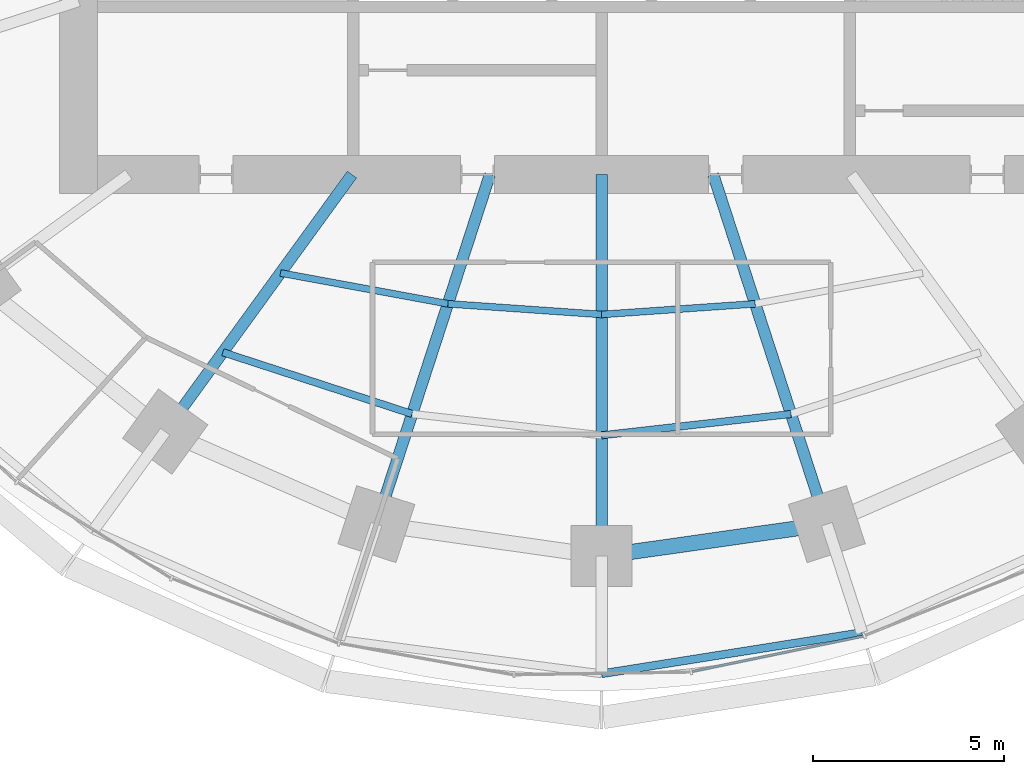
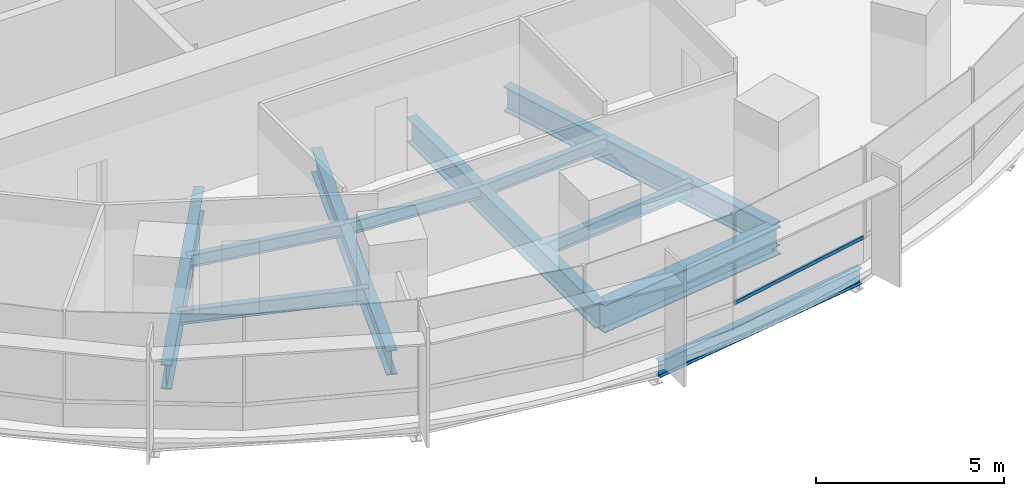
# One storey, part 3 of 14: 11 beams, 1 member, 1 element without a shape of its own.
"""IFC4 building model written with IfcOpenShell, lengths in metres."""

import ifcopenshell
import ifcopenshell.guid

model = None  # the IFC model being written
_history = None  # IfcOwnerHistory: only IFC2X3 demands one
_inside = {}  # id of a spatial element -> (the spatial element, [elements in it])
_under = {}  # id of a project, library or spatial element -> (it, [spatial elements below it])
_declared = {}  # id of a project -> (the project, [libraries it declares])
_typed = {}  # id of a type object -> (the type object, [elements of that type])
_made_of = {}  # id of a material, layer set ... -> (it, [elements and type objects made of it])


def new_model(schema):
    """Start an empty IFC model of exactly this schema.

    Asked for "IFC4X3", IfcOpenShell would pick the latest addendum, in which some entities
    have other attributes; the version numbers below select the first issue.
    IFC2X3 requires an IfcOwnerHistory on every rooted entity: one is made here for all.
    """
    global model, _history
    if schema == "IFC4X3":
        model = ifcopenshell.file(schema_version=(4, 3, 0, 0))
    else:
        model = ifcopenshell.file(schema=schema)
    _inside.clear()
    _under.clear()
    _declared.clear()
    _typed.clear()
    _made_of.clear()
    _history = None
    if model.schema == "IFC2X3":
        org = make("IfcOrganization", Name="unknown")
        user = make(
            "IfcPersonAndOrganization",
            ThePerson=make("IfcPerson", FamilyName="unknown"),
            TheOrganization=org,
        )
        app = make(
            "IfcApplication",
            ApplicationDeveloper=org,
            Version="unknown",
            ApplicationFullName="unknown",
            ApplicationIdentifier="unknown",
        )
        _history = make(
            "IfcOwnerHistory",
            OwningUser=user,
            OwningApplication=app,
            ChangeAction="ADDED",
            CreationDate=0,
        )
    return model


def make(cls, **values):
    """One entity of the class cls with the attributes given. An attribute that is None is left unset."""
    return model.create_entity(
        cls, **{name: value for name, value in values.items() if value is not None}
    )


def rooted(cls, **values):
    """An entity with a GlobalId (a new one), such as an element, a storey or a relation."""
    return make(cls, GlobalId=ifcopenshell.guid.new(), OwnerHistory=_history, **values)


def si_unit(unit_type, name, prefix=None):
    """IfcSIUnit, for example si_unit("LENGTHUNIT", "METRE", prefix="MILLI")."""
    return make("IfcSIUnit", UnitType=unit_type, Prefix=prefix, Name=name)


def assignment(units):
    """IfcUnitAssignment: the units of a project."""
    return None if units is None else make("IfcUnitAssignment", Units=units)


def point(xyz):
    """IfcCartesianPoint."""
    return None if xyz is None else make("IfcCartesianPoint", Coordinates=xyz)


def direction(xyz):
    """IfcDirection."""
    return None if xyz is None else make("IfcDirection", DirectionRatios=xyz)


def frame(location, z_axis=None, x_axis=None):
    """IfcAxis2Placement3D, a coordinate frame: its origin and axes. An axis left out is left unset."""
    return make(
        "IfcAxis2Placement3D",
        Location=point(location),
        Axis=direction(z_axis),
        RefDirection=direction(x_axis),
    )


def frame_2d(location, x_axis=None):
    """IfcAxis2Placement2D, a coordinate frame in the plane: its origin and x axis."""
    return make(
        "IfcAxis2Placement2D", Location=point(location), RefDirection=direction(x_axis)
    )


def origin():
    """The frame at (0, 0, 0) with its axes left unset."""
    return frame((0.0, 0.0, 0.0))


def origin_2d():
    """The frame at (0, 0) in the plane with its x axis left unset."""
    return frame_2d((0.0, 0.0))


def place(relative_to, where):
    """IfcLocalPlacement: puts the frame where relative to a parent placement (None: the world)."""
    return make(
        "IfcLocalPlacement", PlacementRelTo=relative_to, RelativePlacement=where
    )


def context(
    kind, dimensions, precision=None, world=None, true_north=None, identifier=None
):
    """IfcGeometricRepresentationContext, for example the 3D "Model" context."""
    return make(
        "IfcGeometricRepresentationContext",
        ContextIdentifier=identifier,
        ContextType=kind,
        CoordinateSpaceDimension=dimensions,
        Precision=precision,
        WorldCoordinateSystem=world,
        TrueNorth=true_north,
    )


def subcontext(parent, identifier, kind, view, scale=None):
    """IfcGeometricRepresentationSubContext, for example "Body" below "Model"."""
    return make(
        "IfcGeometricRepresentationSubContext",
        ContextIdentifier=identifier,
        ContextType=kind,
        ParentContext=parent,
        TargetScale=scale,
        TargetView=view,
    )


def project(units=None, contexts=None):
    """IfcProject with its units and contexts."""
    return rooted(
        "IfcProject",
        Name="project",
        RepresentationContexts=contexts,
        UnitsInContext=assignment(units),
    )


def spatial(cls, under=None, at=None, **own):
    """A site, building, storey or space (cls), placed at a placement, below another one or the project."""
    s = rooted(cls, ObjectPlacement=at, **own)
    if under is not None:
        _under.setdefault(under.id(), (under, []))[1].append(s)
    return s


def profile(cls, at=None, kind="AREA", **sizes):
    """A parametric profile (cls). Its sizes go by their IFC names, for example OverallWidth=200.0."""
    return make(cls, ProfileType=kind, Position=at, **sizes)


def rectangle(**sizes):
    """IfcRectangleProfileDef."""
    return profile("IfcRectangleProfileDef", **sizes)


def i_section(**sizes):
    """IfcIShapeProfileDef."""
    return profile("IfcIShapeProfileDef", **sizes)


def extrude(swept, where, along, depth):
    """IfcExtrudedAreaSolid: the profile swept, set in the frame where, extruded along a direction by depth."""
    return make(
        "IfcExtrudedAreaSolid",
        SweptArea=swept,
        Position=where,
        ExtrudedDirection=direction(along),
        Depth=depth,
    )


def shape(context_of_items, identifier, shape_type, items):
    """IfcShapeRepresentation: the items that make up one representation, for example the "Body"."""
    return make(
        "IfcShapeRepresentation",
        ContextOfItems=context_of_items,
        RepresentationIdentifier=identifier,
        RepresentationType=shape_type,
        Items=items,
    )


def material(Name=None, Category=None):
    """IfcMaterial."""
    return make("IfcMaterial", Name=Name, Category=Category)


def material_profile(
    of_material, cross_section, Name=None, Category=None, Priority=None
):
    """IfcMaterialProfile: a cross section and its material."""
    return make(
        "IfcMaterialProfile",
        Name=Name,
        Material=of_material,
        Profile=cross_section,
        Priority=Priority,
        Category=Category,
    )


def profile_set(profiles, Name=None, composite=None):
    """IfcMaterialProfileSet."""
    return make(
        "IfcMaterialProfileSet",
        Name=Name,
        MaterialProfiles=profiles,
        CompositeProfile=composite,
    )


def made_of(thing, what):
    """Note that an element or type object is made of a material, layer set ...; save() writes the relation."""
    if what is not None:
        _made_of.setdefault(what.id(), (what, []))[1].append(thing)
    return thing


def type_object(cls, material=None, **own):
    """A type object (cls), such as IfcWallType, which elements share."""
    return made_of(rooted(cls, **own), material)


def element(
    cls,
    number,
    at=None,
    inside=None,
    cuts=None,
    type_object=None,
    material=None,
    context=None,
    identifier="Body",
    shape_type=None,
    held_by="IfcProductDefinitionShape",
    body=None,
    shapes=None,
    **own,
):
    """One element of the class cls, such as IfcWall. Its Tag is "e" and its number.

    at: its placement. inside: the storey or other place that contains it. cuts: it is an
    opening in that element (IfcRelVoidsElement). A single representation is given by context,
    identifier, shape_type and body (its items); several are given by shapes. held_by: the class
    of the entity that holds the representations. save() writes the other relations.
    """
    e = rooted(cls, Tag="e%d" % number, ObjectPlacement=at, **own)
    if body is not None:
        shapes = [shape(context, identifier, shape_type, body)]
    if shapes is not None:
        e.Representation = make(held_by, Representations=shapes)
    if inside is not None:
        _inside.setdefault(inside.id(), (inside, []))[1].append(e)
    if cuts is not None:
        rooted(
            "IfcRelVoidsElement", RelatingBuildingElement=cuts, RelatedOpeningElement=e
        )
    if type_object is not None:
        _typed.setdefault(type_object.id(), (type_object, []))[1].append(e)
    return made_of(e, material)


def aggregate(whole, parts):
    """IfcRelAggregates: a whole, such as a stair, and the parts it consists of."""
    return rooted("IfcRelAggregates", RelatingObject=whole, RelatedObjects=parts)


def save(model, path):
    """Write the relations noted so far, then the file.

    IfcRelAggregates (storeys below a building ...), IfcRelContainedInSpatialStructure (elements
    in a storey), IfcRelDefinesByType, IfcRelAssociatesMaterial and IfcRelDeclares: one each for
    every whole, place, type object, material and project.
    """
    for whole, parts in _under.values():
        aggregate(whole, parts)
    for where, things in _inside.values():
        rooted(
            "IfcRelContainedInSpatialStructure",
            RelatedElements=things,
            RelatingStructure=where,
        )
    for kind, things in _typed.values():
        rooted("IfcRelDefinesByType", RelatedObjects=things, RelatingType=kind)
    for what, things in _made_of.values():
        rooted("IfcRelAssociatesMaterial", RelatedObjects=things, RelatingMaterial=what)
    for by, libraries in _declared.values():
        rooted("IfcRelDeclares", RelatingContext=by, RelatedDefinitions=libraries)
    model.write(path)


model = new_model("IFC4")

# Units and contexts
model_context = context("Model", 3, precision=1e-05, world=origin(), true_north=direction((0.0, 1.0)))
body_context = subcontext(model_context, "Body", "Model", "MODEL_VIEW")
ifc_project = project(units=[si_unit("LENGTHUNIT", "METRE"), si_unit("AREAUNIT", "SQUARE_METRE"), si_unit("VOLUMEUNIT", "CUBIC_METRE"), si_unit("PLANEANGLEUNIT", "RADIAN"), si_unit("MASSUNIT", "GRAM", prefix="KILO")], contexts=[model_context])

# Site, building, storey
site_placement = place(None, origin())
site = spatial("IfcSite", under=ifc_project, at=site_placement, CompositionType="ELEMENT")
building_placement = place(site_placement, origin())
building = spatial("IfcBuilding", under=site, at=building_placement, Name="Marramba Exchange Tower", CompositionType="ELEMENT")
storey_placement = place(building_placement, frame((0.0, 0.0, 154.800048828125)))
storey = spatial("IfcBuildingStorey", under=building, at=storey_placement, Name="L37", CompositionType="ELEMENT", Elevation=154.800048828125)

# Beams
ifc_material_1 = material(Name="Steel AS/NZS 3679.1 grade 300", Category="steel")
ifc_material_profile_1 = material_profile(ifc_material_1, i_section(OverallWidth=0.177978515625, OverallDepth=0.406005859375, WebThickness=0.0078125, FlangeThickness=0.0126953125, FilletRadius=0.011474609375, at=origin_2d()), Name="410UB59.7")
ifc_profile_set_1 = profile_set([ifc_material_profile_1], Name="Steel AS/NZS 3679.1 grade 300")
beam_type_1 = type_object("IfcBeamType", Name="Floor joist 410UB59.7", PredefinedType="JOIST", material=ifc_profile_set_1)
beam_1_placement = place(storey_placement, frame((-8.41162109375, -11.57763671875, -0.363037109375), z_axis=(0.983455754421, -0.181148500119, 0.0), x_axis=(0.181148500119, 0.983455754421, 0.0)))
element("IfcBeam", 1, at=beam_1_placement, inside=storey, type_object=beam_type_1, Name="Joist L37 bay 14 row 1", PredefinedType="JOIST", context=body_context, shape_type="SweptSolid", body=[
    extrude(i_section(OverallWidth=0.177978515625, OverallDepth=0.406005859375, WebThickness=0.0078125, FlangeThickness=0.0126953125, FilletRadius=0.011474609375, at=origin_2d()), origin(), (0.0, 0.0, 1.0), 4.4609375),
])
for number, where, z_axis, x_axis, name in (
    (2, (-4.0244140625, -12.3857421875, -0.363037109375), (0.99759625901, -0.069294328838, 0.0), (0.069294328838, 0.99759625901, 0.0), "Joist L37 bay 15 row 1"),
    (3, (0.0, -12.665283203125, -0.363037109375), (0.99759625901, 0.069294328838, 0.0), (-0.069294328838, 0.99759625901, 0.0), "Joist L37 bay 16 row 1"),
):
    element("IfcBeam", number, at=place(storey_placement, frame(where, z_axis=z_axis, x_axis=x_axis)), inside=storey, type_object=beam_type_1, Name=name, PredefinedType="JOIST", context=body_context, shape_type="SweptSolid", body=[
        extrude(i_section(OverallWidth=0.177978515625, OverallDepth=0.406005859375, WebThickness=0.0078125, FlangeThickness=0.0126953125, FilletRadius=0.011474609375, at=origin_2d()), origin(), (0.0, 0.0, 1.0), 4.0341796875),
    ])
ifc_material_profile_2 = material_profile(ifc_material_1, i_section(OverallWidth=0.18994140625, OverallDepth=0.4541015625, WebThickness=0.008544921875, FlangeThickness=0.0126953125, FilletRadius=0.011474609375, at=origin_2d()), Name="460UB67.1")
ifc_profile_set_2 = profile_set([ifc_material_profile_2], Name="Steel AS/NZS 3679.1 grade 300")
beam_type_2 = type_object("IfcBeamType", Name="Floor joist 460UB67.1", PredefinedType="JOIST", material=ifc_profile_set_2)
beam_2_placement = place(storey_placement, frame((-9.9208984375, -13.655029296875, -0.386962890625), z_axis=(0.950764024931, -0.309915744834, 0.0), x_axis=(0.309915744834, 0.950764024931, 0.0)))
element("IfcBeam", 4, at=beam_2_placement, inside=storey, type_object=beam_type_2, Name="Joist L37 bay 14 row 2", PredefinedType="JOIST", context=body_context, shape_type="SweptSolid", body=[
    extrude(i_section(OverallWidth=0.18994140625, OverallDepth=0.4541015625, WebThickness=0.008544921875, FlangeThickness=0.0126953125, FilletRadius=0.011474609375, at=origin_2d()), origin(), (0.0, 0.0, 1.0), 5.2158203125),
])
beam_3_placement = place(storey_placement, frame((0.0, -15.83056640625, -0.386962890625), z_axis=(0.993712018573, 0.111966174106, 0.0), x_axis=(-0.111966174106, 0.993712018573, 0.0)))
element("IfcBeam", 5, at=beam_3_placement, inside=storey, type_object=beam_type_2, Name="Joist L37 bay 16 row 2", PredefinedType="JOIST", context=body_context, shape_type="SweptSolid", body=[
    extrude(i_section(OverallWidth=0.18994140625, OverallDepth=0.4541015625, WebThickness=0.008544921875, FlangeThickness=0.0126953125, FilletRadius=0.011474609375, at=origin_2d()), origin(), (0.0, 0.0, 1.0), 4.993408203125),
])

# Curtain wall, member
ifc_material_2 = material(Name="Aluminium framing, bronze anodised", Category="aluminium")
curtain_wall_type = type_object("IfcCurtainWallType", Name="Office ribbon curtain wall", PredefinedType="USERDEFINED", material=ifc_material_2)
curtain_wall_placement = place(storey_placement, origin())
curtain_wall = element("IfcCurtainWall", 6, at=curtain_wall_placement, inside=storey, type_object=curtain_wall_type, Name="Curtain wall CW4 L37 F21-F25", ObjectType="RIBBON CURTAIN WALL", PredefinedType="USERDEFINED")
ifc_material_3 = material(Name="Aluminium transom, bronze anodised", Category="aluminium")
ifc_material_profile_3 = material_profile(ifc_material_3, rectangle(XDim=0.06005859375, YDim=0.1201171875, at=origin_2d()), Name="CW4 transom 60x120")
ifc_profile_set_3 = profile_set([ifc_material_profile_3], Name="Aluminium transom, bronze anodised")
member_type = type_object("IfcMemberType", Name="Office ribbon curtain wall transom", PredefinedType="USERDEFINED", material=ifc_profile_set_3)
member_placement = place(storey_placement, frame((2.374267578125, -22.017822265625, 0.829833984375), z_axis=(0.979310422034, 0.202363774661, 0.0), x_axis=(-0.202363774661, 0.979310422034, 0.0)))
member = element("IfcMember", 7, at=member_placement, type_object=member_type, Name="CW4 sill transom", ObjectType="TRANSOM", PredefinedType="USERDEFINED", context=body_context, shape_type="SweptSolid", body=[
    extrude(rectangle(XDim=0.06005859375, YDim=0.1201171875, at=origin_2d()), origin(), (0.0, 0.0, 1.0), 4.57373046875),
])
aggregate(curtain_wall, [member])

# Beams
ifc_material_4 = material(Name="Steel AS/NZS 3679.2 grade 300", Category="steel")
ifc_material_profile_4 = material_profile(ifc_material_4, i_section(OverallWidth=0.300048828125, OverallDepth=0.800048828125, WebThickness=0.013916015625, FlangeThickness=0.031982421875, at=origin_2d()), Name="800WB192")
ifc_profile_set_4 = profile_set([ifc_material_profile_4], Name="Steel AS/NZS 3679.2 grade 300")
beam_type_3 = type_object("IfcBeamType", Name="Radial girder 800WB192", PredefinedType="BEAM", material=ifc_profile_set_4)
beam_4_placement = place(storey_placement, frame((-6.538818359375, -9.0, -0.56005859375), z_axis=(-0.587787877172, -0.809015087282, 0.0), x_axis=(0.809015087282, -0.587787877172, 0.0)))
element("IfcBeam", 8, at=beam_4_placement, inside=storey, type_object=beam_type_3, Name="Radial girder L37 TC14", PredefinedType="BEAM", context=body_context, shape_type="SweptSolid", body=[
    extrude(i_section(OverallWidth=0.300048828125, OverallDepth=0.800048828125, WebThickness=0.013916015625, FlangeThickness=0.031982421875, at=origin_2d()), origin(), (0.0, 0.0, 1.0), 8.322021484375),
])
beam_5_placement = place(storey_placement, frame((-2.92431640625, -9.0, -0.56005859375), z_axis=(-0.309022428985, -0.951054750466, 0.0), x_axis=(0.951054750466, -0.309022428985, 0.0)))
element("IfcBeam", 9, at=beam_5_placement, inside=storey, type_object=beam_type_3, Name="Radial girder L37 TC15", PredefinedType="BEAM", context=body_context, shape_type="SweptSolid", body=[
    extrude(i_section(OverallWidth=0.300048828125, OverallDepth=0.800048828125, WebThickness=0.013916015625, FlangeThickness=0.031982421875, at=origin_2d()), origin(), (0.0, 0.0, 1.0), 9.628173828125),
])
beam_6_placement = place(storey_placement, frame((0.0, -9.0, -0.56005859375), z_axis=(0.0, -1.0, 0.0), x_axis=(1.0, 0.0, 0.0)))
element("IfcBeam", 10, at=beam_6_placement, inside=storey, type_object=beam_type_3, Name="Radial girder L37 TC16", PredefinedType="BEAM", context=body_context, shape_type="SweptSolid", body=[
    extrude(i_section(OverallWidth=0.300048828125, OverallDepth=0.800048828125, WebThickness=0.013916015625, FlangeThickness=0.031982421875, at=origin_2d()), origin(), (0.0, 0.0, 1.0), 9.99609375),
])
beam_7_placement = place(storey_placement, frame((2.92431640625, -9.0, -0.56005859375), z_axis=(0.309022428985, -0.951054750466, 0.0), x_axis=(0.951054750466, 0.309022428985, 0.0)))
element("IfcBeam", 11, at=beam_7_placement, inside=storey, type_object=beam_type_3, Name="Radial girder L37 TC17", PredefinedType="BEAM", context=body_context, shape_type="SweptSolid", body=[
    extrude(i_section(OverallWidth=0.300048828125, OverallDepth=0.800048828125, WebThickness=0.013916015625, FlangeThickness=0.031982421875, at=origin_2d()), origin(), (0.0, 0.0, 1.0), 9.628173828125),
])
ifc_material_profile_5 = material_profile(ifc_material_4, i_section(OverallWidth=0.39990234375, OverallDepth=0.89990234375, WebThickness=0.01611328125, FlangeThickness=0.031982421875, at=origin_2d()), Name="900WB282")
ifc_profile_set_5 = profile_set([ifc_material_profile_5], Name="Steel AS/NZS 3679.2 grade 300")
beam_type_4 = type_object("IfcBeamType", Name="Ring beam 900WB282", PredefinedType="SPANDREL", material=ifc_profile_set_5)
beam_8_placement = place(storey_placement, frame((0.0, -18.99609375, -0.610107421875), z_axis=(0.990036163016, 0.140813337152, 0.0), x_axis=(-0.140813337152, 0.990036163016, 0.0)))
element("IfcBeam", 12, at=beam_8_placement, inside=storey, type_object=beam_type_4, Name="Ring beam L37 TC16-TC17", PredefinedType="SPANDREL", context=body_context, shape_type="SweptSolid", body=[
    extrude(i_section(OverallWidth=0.39990234375, OverallDepth=0.89990234375, WebThickness=0.01611328125, FlangeThickness=0.031982421875, at=origin_2d()), origin(), (0.0, 0.0, 1.0), 5.958984375),
])
ifc_material_profile_6 = material_profile(ifc_material_1, i_section(OverallWidth=0.208984375, OverallDepth=0.528076171875, WebThickness=0.009521484375, FlangeThickness=0.01318359375, FilletRadius=0.013916015625, at=origin_2d()), Name="530UB82.0")
ifc_profile_set_6 = profile_set([ifc_material_profile_6], Name="Steel AS/NZS 3679.1 grade 300")
beam_type_5 = type_object("IfcBeamType", Name="Slab edge beam 530UB82.0", PredefinedType="SPANDREL", material=ifc_profile_set_6)
beam_9_placement = place(storey_placement, frame((0.0, -22.076904296875, -0.424072265625), z_axis=(0.987705008555, 0.15632919137, 0.0), x_axis=(-0.15632919137, 0.987705008555, 0.0)))
element("IfcBeam", 13, at=beam_9_placement, inside=storey, type_object=beam_type_5, Name="Slab edge beam L37 TC16-TC17", PredefinedType="SPANDREL", context=body_context, shape_type="SweptSolid", body=[
    extrude(i_section(OverallWidth=0.208984375, OverallDepth=0.528076171875, WebThickness=0.009521484375, FlangeThickness=0.01318359375, FilletRadius=0.013916015625, at=origin_2d()), origin(), (0.0, 0.0, 1.0), 6.907470703125),
])

save(model, "model.ifc")
